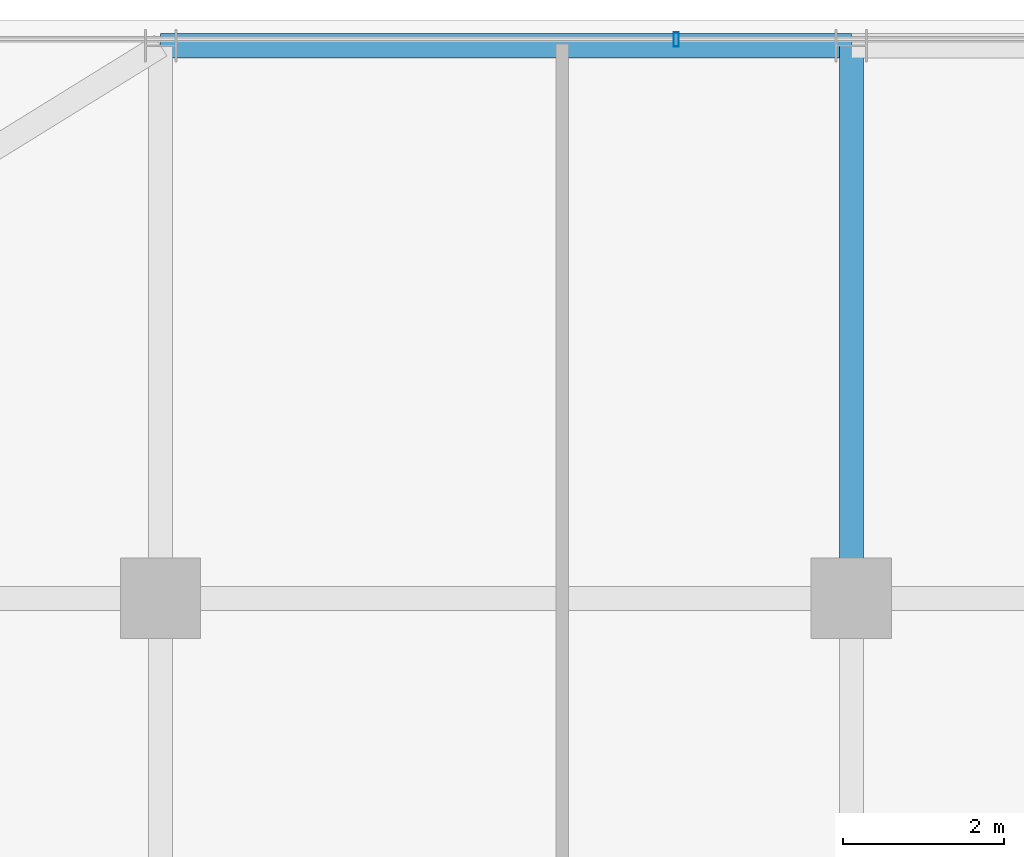
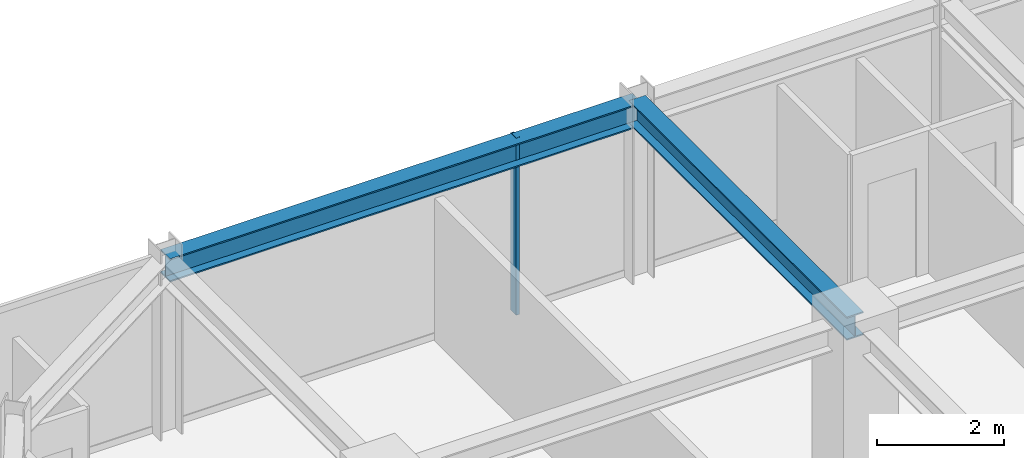
# One storey, part 21 of 35: 2 beams, 1 member, 1 element without a shape of its own.
"""IFC4 building model written with IfcOpenShell, lengths in metres."""

import ifcopenshell
import ifcopenshell.guid

model = None  # the IFC model being written
_history = None  # IfcOwnerHistory: only IFC2X3 demands one
_inside = {}  # id of a spatial element -> (the spatial element, [elements in it])
_under = {}  # id of a project, library or spatial element -> (it, [spatial elements below it])
_declared = {}  # id of a project -> (the project, [libraries it declares])
_typed = {}  # id of a type object -> (the type object, [elements of that type])
_made_of = {}  # id of a material, layer set ... -> (it, [elements and type objects made of it])


def new_model(schema):
    """Start an empty IFC model of exactly this schema.

    Asked for "IFC4X3", IfcOpenShell would pick the latest addendum, in which some entities
    have other attributes; the version numbers below select the first issue.
    IFC2X3 requires an IfcOwnerHistory on every rooted entity: one is made here for all.
    """
    global model, _history
    if schema == "IFC4X3":
        model = ifcopenshell.file(schema_version=(4, 3, 0, 0))
    else:
        model = ifcopenshell.file(schema=schema)
    _inside.clear()
    _under.clear()
    _declared.clear()
    _typed.clear()
    _made_of.clear()
    _history = None
    if model.schema == "IFC2X3":
        org = make("IfcOrganization", Name="unknown")
        user = make(
            "IfcPersonAndOrganization",
            ThePerson=make("IfcPerson", FamilyName="unknown"),
            TheOrganization=org,
        )
        app = make(
            "IfcApplication",
            ApplicationDeveloper=org,
            Version="unknown",
            ApplicationFullName="unknown",
            ApplicationIdentifier="unknown",
        )
        _history = make(
            "IfcOwnerHistory",
            OwningUser=user,
            OwningApplication=app,
            ChangeAction="ADDED",
            CreationDate=0,
        )
    return model


def make(cls, **values):
    """One entity of the class cls with the attributes given. An attribute that is None is left unset."""
    return model.create_entity(
        cls, **{name: value for name, value in values.items() if value is not None}
    )


def rooted(cls, **values):
    """An entity with a GlobalId (a new one), such as an element, a storey or a relation."""
    return make(cls, GlobalId=ifcopenshell.guid.new(), OwnerHistory=_history, **values)


def si_unit(unit_type, name, prefix=None):
    """IfcSIUnit, for example si_unit("LENGTHUNIT", "METRE", prefix="MILLI")."""
    return make("IfcSIUnit", UnitType=unit_type, Prefix=prefix, Name=name)


def assignment(units):
    """IfcUnitAssignment: the units of a project."""
    return None if units is None else make("IfcUnitAssignment", Units=units)


def point(xyz):
    """IfcCartesianPoint."""
    return None if xyz is None else make("IfcCartesianPoint", Coordinates=xyz)


def direction(xyz):
    """IfcDirection."""
    return None if xyz is None else make("IfcDirection", DirectionRatios=xyz)


def frame(location, z_axis=None, x_axis=None):
    """IfcAxis2Placement3D, a coordinate frame: its origin and axes. An axis left out is left unset."""
    return make(
        "IfcAxis2Placement3D",
        Location=point(location),
        Axis=direction(z_axis),
        RefDirection=direction(x_axis),
    )


def frame_2d(location, x_axis=None):
    """IfcAxis2Placement2D, a coordinate frame in the plane: its origin and x axis."""
    return make(
        "IfcAxis2Placement2D", Location=point(location), RefDirection=direction(x_axis)
    )


def origin():
    """The frame at (0, 0, 0) with its axes left unset."""
    return frame((0.0, 0.0, 0.0))


def origin_2d():
    """The frame at (0, 0) in the plane with its x axis left unset."""
    return frame_2d((0.0, 0.0))


def place(relative_to, where):
    """IfcLocalPlacement: puts the frame where relative to a parent placement (None: the world)."""
    return make(
        "IfcLocalPlacement", PlacementRelTo=relative_to, RelativePlacement=where
    )


def context(
    kind, dimensions, precision=None, world=None, true_north=None, identifier=None
):
    """IfcGeometricRepresentationContext, for example the 3D "Model" context."""
    return make(
        "IfcGeometricRepresentationContext",
        ContextIdentifier=identifier,
        ContextType=kind,
        CoordinateSpaceDimension=dimensions,
        Precision=precision,
        WorldCoordinateSystem=world,
        TrueNorth=true_north,
    )


def subcontext(parent, identifier, kind, view, scale=None):
    """IfcGeometricRepresentationSubContext, for example "Body" below "Model"."""
    return make(
        "IfcGeometricRepresentationSubContext",
        ContextIdentifier=identifier,
        ContextType=kind,
        ParentContext=parent,
        TargetScale=scale,
        TargetView=view,
    )


def project(units=None, contexts=None):
    """IfcProject with its units and contexts."""
    return rooted(
        "IfcProject",
        Name="project",
        RepresentationContexts=contexts,
        UnitsInContext=assignment(units),
    )


def spatial(cls, under=None, at=None, **own):
    """A site, building, storey or space (cls), placed at a placement, below another one or the project."""
    s = rooted(cls, ObjectPlacement=at, **own)
    if under is not None:
        _under.setdefault(under.id(), (under, []))[1].append(s)
    return s


def profile(cls, at=None, kind="AREA", **sizes):
    """A parametric profile (cls). Its sizes go by their IFC names, for example OverallWidth=200.0."""
    return make(cls, ProfileType=kind, Position=at, **sizes)


def hollow_rectangle(**sizes):
    """IfcRectangleHollowProfileDef."""
    return profile("IfcRectangleHollowProfileDef", **sizes)


def i_section(**sizes):
    """IfcIShapeProfileDef."""
    return profile("IfcIShapeProfileDef", **sizes)


def extrude(swept, where, along, depth):
    """IfcExtrudedAreaSolid: the profile swept, set in the frame where, extruded along a direction by depth."""
    return make(
        "IfcExtrudedAreaSolid",
        SweptArea=swept,
        Position=where,
        ExtrudedDirection=direction(along),
        Depth=depth,
    )


def shape(context_of_items, identifier, shape_type, items):
    """IfcShapeRepresentation: the items that make up one representation, for example the "Body"."""
    return make(
        "IfcShapeRepresentation",
        ContextOfItems=context_of_items,
        RepresentationIdentifier=identifier,
        RepresentationType=shape_type,
        Items=items,
    )


def source(mapping_origin, context_of_items, identifier, shape_type, items):
    """IfcRepresentationMap: a shape defined once, which mapped items show again and again."""
    return make(
        "IfcRepresentationMap",
        MappingOrigin=mapping_origin,
        MappedRepresentation=shape(context_of_items, identifier, shape_type, items),
    )


def transform(
    local_origin,
    x_axis=None,
    y_axis=None,
    z_axis=None,
    scale=None,
    scale2=None,
    scale3=None,
    uniform=True,
):
    """IfcCartesianTransformationOperator3D, or its non-uniform kind. x_axis, y_axis, z_axis: its Axis1, 2, 3."""
    if uniform:
        return make(
            "IfcCartesianTransformationOperator3D",
            Axis1=direction(x_axis),
            Axis2=direction(y_axis),
            LocalOrigin=point(local_origin),
            Scale=scale,
            Axis3=direction(z_axis),
        )
    return make(
        "IfcCartesianTransformationOperator3DnonUniform",
        Axis1=direction(x_axis),
        Axis2=direction(y_axis),
        LocalOrigin=point(local_origin),
        Scale=scale,
        Axis3=direction(z_axis),
        Scale2=scale2,
        Scale3=scale3,
    )


def mapped(mapping_source, mapping_target):
    """IfcMappedItem: shows the shape of a source again, moved by a transform."""
    return make(
        "IfcMappedItem", MappingSource=mapping_source, MappingTarget=mapping_target
    )


def material(Name=None, Category=None):
    """IfcMaterial."""
    return make("IfcMaterial", Name=Name, Category=Category)


def material_profile(
    of_material, cross_section, Name=None, Category=None, Priority=None
):
    """IfcMaterialProfile: a cross section and its material."""
    return make(
        "IfcMaterialProfile",
        Name=Name,
        Material=of_material,
        Profile=cross_section,
        Priority=Priority,
        Category=Category,
    )


def profile_set(profiles, Name=None, composite=None):
    """IfcMaterialProfileSet."""
    return make(
        "IfcMaterialProfileSet",
        Name=Name,
        MaterialProfiles=profiles,
        CompositeProfile=composite,
    )


def made_of(thing, what):
    """Note that an element or type object is made of a material, layer set ...; save() writes the relation."""
    if what is not None:
        _made_of.setdefault(what.id(), (what, []))[1].append(thing)
    return thing


def type_object(cls, material=None, **own):
    """A type object (cls), such as IfcWallType, which elements share."""
    return made_of(rooted(cls, **own), material)


def element(
    cls,
    number,
    at=None,
    inside=None,
    cuts=None,
    type_object=None,
    material=None,
    context=None,
    identifier="Body",
    shape_type=None,
    held_by="IfcProductDefinitionShape",
    body=None,
    shapes=None,
    **own,
):
    """One element of the class cls, such as IfcWall. Its Tag is "e" and its number.

    at: its placement. inside: the storey or other place that contains it. cuts: it is an
    opening in that element (IfcRelVoidsElement). A single representation is given by context,
    identifier, shape_type and body (its items); several are given by shapes. held_by: the class
    of the entity that holds the representations. save() writes the other relations.
    """
    e = rooted(cls, Tag="e%d" % number, ObjectPlacement=at, **own)
    if body is not None:
        shapes = [shape(context, identifier, shape_type, body)]
    if shapes is not None:
        e.Representation = make(held_by, Representations=shapes)
    if inside is not None:
        _inside.setdefault(inside.id(), (inside, []))[1].append(e)
    if cuts is not None:
        rooted(
            "IfcRelVoidsElement", RelatingBuildingElement=cuts, RelatedOpeningElement=e
        )
    if type_object is not None:
        _typed.setdefault(type_object.id(), (type_object, []))[1].append(e)
    return made_of(e, material)


def aggregate(whole, parts):
    """IfcRelAggregates: a whole, such as a stair, and the parts it consists of."""
    return rooted("IfcRelAggregates", RelatingObject=whole, RelatedObjects=parts)


def save(model, path):
    """Write the relations noted so far, then the file.

    IfcRelAggregates (storeys below a building ...), IfcRelContainedInSpatialStructure (elements
    in a storey), IfcRelDefinesByType, IfcRelAssociatesMaterial and IfcRelDeclares: one each for
    every whole, place, type object, material and project.
    """
    for whole, parts in _under.values():
        aggregate(whole, parts)
    for where, things in _inside.values():
        rooted(
            "IfcRelContainedInSpatialStructure",
            RelatedElements=things,
            RelatingStructure=where,
        )
    for kind, things in _typed.values():
        rooted("IfcRelDefinesByType", RelatedObjects=things, RelatingType=kind)
    for what, things in _made_of.values():
        rooted("IfcRelAssociatesMaterial", RelatedObjects=things, RelatingMaterial=what)
    for by, libraries in _declared.values():
        rooted("IfcRelDeclares", RelatingContext=by, RelatedDefinitions=libraries)
    model.write(path)


model = new_model("IFC4")

# Units and contexts
model_context = context("Model", 3, precision=1e-05, world=origin(), true_north=direction((0.0, 1.0)))
body_context = subcontext(model_context, "Body", "Model", "MODEL_VIEW")
ifc_project = project(units=[si_unit("LENGTHUNIT", "METRE"), si_unit("AREAUNIT", "SQUARE_METRE"), si_unit("VOLUMEUNIT", "CUBIC_METRE"), si_unit("PLANEANGLEUNIT", "RADIAN"), si_unit("MASSUNIT", "GRAM", prefix="KILO")], contexts=[model_context])

# Site, building, storey
site_placement = place(None, origin())
site = spatial("IfcSite", under=ifc_project, at=site_placement, CompositionType="ELEMENT")
building_placement = place(site_placement, origin())
building = spatial("IfcBuilding", under=site, at=building_placement, Name="Nahalor Promenade Grand Hotel", CompositionType="ELEMENT")
storey_placement = place(building_placement, frame((0.0, 0.0, 216.0)))
storey = spatial("IfcBuildingStorey", under=building, at=storey_placement, Name="L55", CompositionType="ELEMENT", Elevation=216.0)

# Beams
ifc_material_1 = material(Name="Steel S355JR", Category="steel")
ifc_material_profile_1 = material_profile(ifc_material_1, i_section(OverallWidth=0.3, OverallDepth=0.45, WebThickness=0.014, FlangeThickness=0.026, at=origin_2d()), Name="HEB 450")
ifc_profile_set_1 = profile_set([ifc_material_profile_1], Name="Steel S355JR")
beam_type_1 = type_object("IfcBeamType", Name="Beam-Spandrel-HEB450", PredefinedType="SPANDREL", material=ifc_profile_set_1)
shared_shape_1 = source(origin(), body_context, "Body", "SweptSolid", [
    extrude(i_section(OverallWidth=0.3, OverallDepth=0.45, WebThickness=0.014, FlangeThickness=0.026, at=origin_2d()), origin(), (0.0, 0.0, 1.0), 8.60009765625),
])
beam_1_placement = place(storey_placement, frame((-17.0, 23.8798828125, 3.18505859375), z_axis=(1.0, 0.0, 0.0), x_axis=(0.0, 1.0, 0.0)))
element("IfcBeam", 1, at=beam_1_placement, inside=storey, type_object=beam_type_1, Name="BM-L55-SP-N-0", PredefinedType="SPANDREL", context=body_context, shape_type="MappedRepresentation", body=[
    mapped(shared_shape_1, transform((0.0, 0.0, 0.0), scale=1.0)),
])
ifc_material_profile_2 = material_profile(ifc_material_1, i_section(OverallWidth=0.3, OverallDepth=0.45, WebThickness=0.014, FlangeThickness=0.026, at=origin_2d()), Name="HEB 450")
ifc_profile_set_2 = profile_set([ifc_material_profile_2], Name="Steel S355JR")
beam_type_2 = type_object("IfcBeamType", Name="Beam-Girder-HEB450", PredefinedType="BEAM", material=ifc_profile_set_2)
shared_shape_2 = source(origin(), body_context, "Body", "SweptSolid", [
    extrude(i_section(OverallWidth=0.3, OverallDepth=0.45, WebThickness=0.014, FlangeThickness=0.026, at=origin_2d()), origin(), (0.0, 0.0, 1.0), 6.8798828125),
])
beam_2_placement = place(storey_placement, frame((-8.39990234375, 17.0, 3.18505859375), z_axis=(0.0, 1.0, 0.0), x_axis=(-1.0, 0.0, 0.0)))
element("IfcBeam", 2, at=beam_2_placement, inside=storey, type_object=beam_type_2, Name="BM-L55-GY-1-4", PredefinedType="BEAM", context=body_context, shape_type="MappedRepresentation", body=[
    mapped(shared_shape_2, transform((0.0, 0.0, 0.0), scale=1.0)),
])

# Curtain wall, member
ifc_material_2 = material(Name="Anodised Bronze Aluminium EN AW-6063 T6", Category="aluminium")
curtain_wall_type = type_object("IfcCurtainWallType", Name="CW2 Typical Hotel Flush Bronze Unitised Curtain Wall", PredefinedType="USERDEFINED", material=ifc_material_2)
curtain_wall_placement = place(storey_placement, origin())
curtain_wall = element("IfcCurtainWall", 3, at=curtain_wall_placement, inside=storey, type_object=curtain_wall_type, Name="L55 Curtain Wall CW-L55-N-1", ObjectType="UNITISED_CURTAIN_WALL", PredefinedType="USERDEFINED")
ifc_material_profile_3 = material_profile(ifc_material_2, hollow_rectangle(XDim=0.065, YDim=0.18, WallThickness=0.004, at=origin_2d()), Name="CWM 65x180x4")
ifc_profile_set_3 = profile_set([ifc_material_profile_3], Name="Anodised Bronze Aluminium EN AW-6063 T6")
member_type = type_object("IfcMemberType", Name="CWM2 Typical Bronze Mullion 65x180", PredefinedType="MULLION", material=ifc_profile_set_3)
shared_shape_3 = source(origin(), body_context, "Body", "SweptSolid", [
    extrude(hollow_rectangle(XDim=0.065, YDim=0.18, WallThickness=0.004, at=origin_2d()), origin(), (0.0, 0.0, 1.0), 3.409912109375),
])
member_placement = place(storey_placement, frame((-10.580078125, 23.9599609375, 0.0), z_axis=(0.0, 0.0, 1.0), x_axis=(1.0, 0.0, 0.0)))
member = element("IfcMember", 4, at=member_placement, type_object=member_type, Name="CW-L55-N-1 Mullion 1", PredefinedType="MULLION", context=body_context, shape_type="MappedRepresentation", body=[
    mapped(shared_shape_3, transform((0.0, 0.0, 0.0), scale=1.0)),
])
aggregate(curtain_wall, [member])

save(model, "model.ifc")
